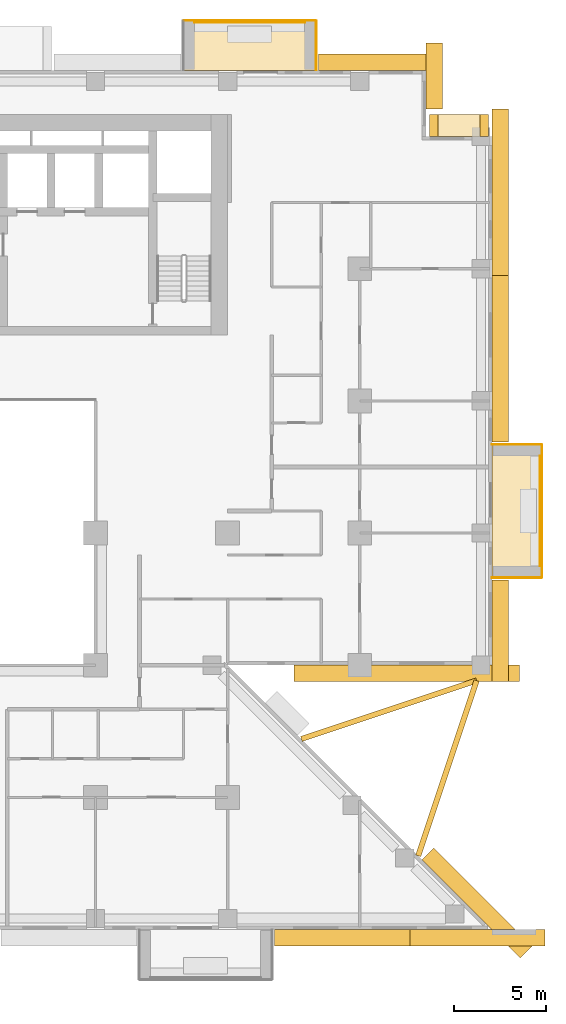
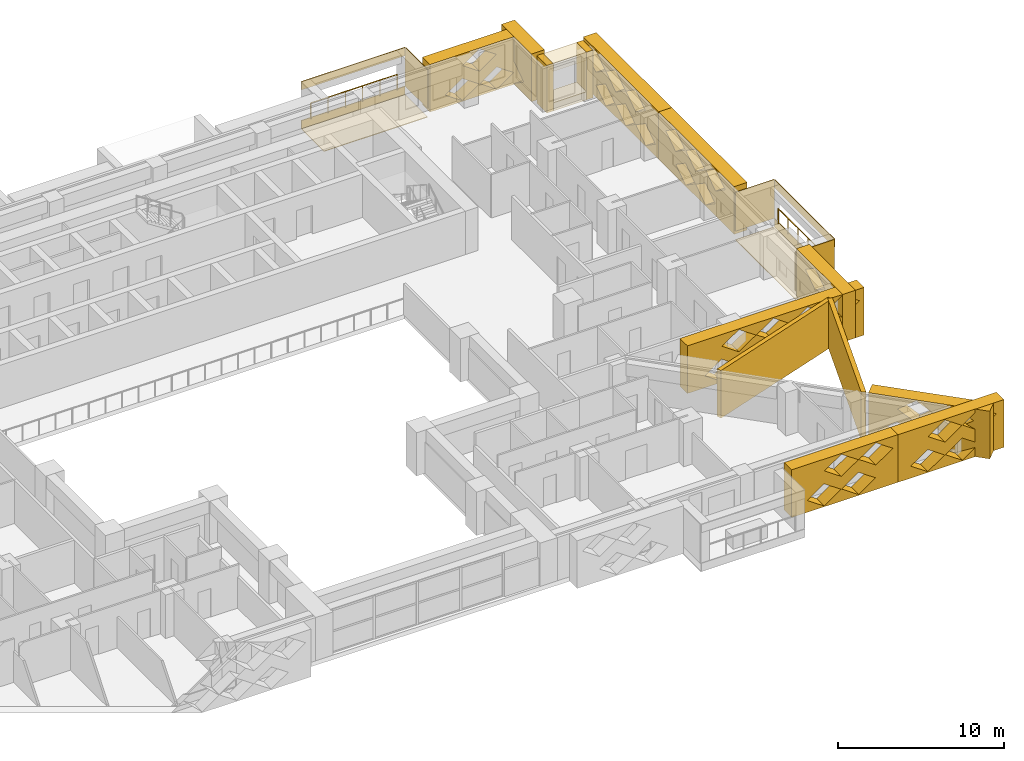
# One storey, part 16 of 16: 24 coverings, 2 railings.
"""IFC4 building model written with IfcOpenShell, lengths in metres."""

from ifc_helpers import new_model, si_unit, direction, frame, origin, origin_2d, place, context, subcontext, project, spatial, polyline, circle, outline, extrude, material, layer, layer_set, type_object, element, save


model = new_model("IFC4")

# Units and contexts
model_context = context("Model", 3, precision=1e-05, world=origin(), true_north=direction((0.0, 1.0)))
body_context = subcontext(model_context, "Body", "Model", "MODEL_VIEW")
ifc_project = project(units=[si_unit("LENGTHUNIT", "METRE"), si_unit("AREAUNIT", "SQUARE_METRE"), si_unit("VOLUMEUNIT", "CUBIC_METRE"), si_unit("PLANEANGLEUNIT", "RADIAN"), si_unit("MASSUNIT", "GRAM", prefix="KILO")], contexts=[model_context])

# Site, building, storey
site_placement = place(None, origin())
site = spatial("IfcSite", under=ifc_project, at=site_placement, CompositionType="ELEMENT")
building_placement = place(site_placement, origin())
building = spatial("IfcBuilding", under=site, at=building_placement, Name="Saffron Iwan Residences", CompositionType="ELEMENT")
storey_placement = place(building_placement, frame((0.0, 0.0, 90.0)))
storey = spatial("IfcBuildingStorey", under=building, at=storey_placement, Name="L23", CompositionType="ELEMENT", Elevation=90.0)

# Railings
ifc_material_1 = material(Name="Stainless steel 316", Category="steel")
railing_type = type_object("IfcRailingType", Name="BALCONY GUARD 1150", PredefinedType="GUARDRAIL", material=ifc_material_1)
railing_1_placement = place(storey_placement, frame((89.02490234375, 53.39990234375, 0.0)))
element("IfcRailing", 1, at=railing_1_placement, inside=storey, type_object=railing_type, Name="Balcony guard L23 F2-0", PredefinedType="GUARDRAIL", context=body_context, shape_type="SweptSolid", body=[
    extrude(circle(Radius=0.02392578125, at=origin_2d()), frame((0.0, 0.0, 1.1259765625), z_axis=(0.0, 1.0, 0.0), x_axis=(-1.0, 0.0, 0.0)), (0.0, 0.0, 1.0), 6.0),
    extrude(circle(Radius=0.02099609375, at=origin_2d()), origin(), (0.0, 0.0, 1.0), 1.101806640625),
    extrude(circle(Radius=0.02099609375, at=origin_2d()), frame((0.0, 1.199951171875, 0.0)), (0.0, 0.0, 1.0), 1.101806640625),
    extrude(circle(Radius=0.02099609375, at=origin_2d()), frame((0.0, 2.39990234375, 0.0)), (0.0, 0.0, 1.0), 1.101806640625),
    extrude(circle(Radius=0.02099609375, at=origin_2d()), frame((0.0, 3.60009765625, 0.0)), (0.0, 0.0, 1.0), 1.101806640625),
    extrude(circle(Radius=0.02099609375, at=origin_2d()), frame((0.0, 4.800048828125, 0.0)), (0.0, 0.0, 1.0), 1.101806640625),
    extrude(circle(Radius=0.02099609375, at=origin_2d()), frame((0.0, 6.0, 0.0)), (0.0, 0.0, 1.0), 1.101806640625),
])
railing_2_placement = place(storey_placement, frame((76.199951171875, 83.02490234375, 0.0)))
element("IfcRailing", 2, at=railing_2_placement, inside=storey, type_object=railing_type, Name="Balcony guard L23 F5-0", PredefinedType="GUARDRAIL", context=body_context, shape_type="SweptSolid", body=[
    extrude(circle(Radius=0.02392578125, at=origin_2d()), frame((0.0, 0.0, 1.1259765625), z_axis=(-1.0, 0.0, 0.0), x_axis=(0.0, -1.0, 0.0)), (0.0, 0.0, 1.0), 6.0),
    extrude(circle(Radius=0.02099609375, at=origin_2d()), origin(), (0.0, 0.0, 1.0), 1.101806640625),
    extrude(circle(Radius=0.02099609375, at=origin_2d()), frame((-1.199951171875, 0.0, 0.0)), (0.0, 0.0, 1.0), 1.101806640625),
    extrude(circle(Radius=0.02099609375, at=origin_2d()), frame((-2.39990234375, 0.0, 0.0)), (0.0, 0.0, 1.0), 1.101806640625),
    extrude(circle(Radius=0.02099609375, at=origin_2d()), frame((-3.60009765625, 0.0, 0.0)), (0.0, 0.0, 1.0), 1.101806640625),
    extrude(circle(Radius=0.02099609375, at=origin_2d()), frame((-4.800048828125, 0.0, 0.0)), (0.0, 0.0, 1.0), 1.101806640625),
    extrude(circle(Radius=0.02099609375, at=origin_2d()), frame((-6.0, 0.0, 0.0)), (0.0, 0.0, 1.0), 1.101806640625),
])

# Coverings
ifc_material_2 = material(Name="Precast concrete C40/50 white painted", Category="concrete")
ifc_layer_1 = layer(ifc_material_2, 0.050048828125)
ifc_layer_set_1 = layer_set([ifc_layer_1], Name="Precast concrete C40/50 white painted")
covering_type_1 = type_object("IfcCoveringType", Name="FRAME SKIN PRECAST WHITE 50", PredefinedType="CLADDING", material=ifc_layer_set_1)
for number, where, name in (
    (3, (0.0, 0.0, -0.60009765625), "Frame skin slab edge L23 F2-0"),
    (4, (0.0, 0.0, 2.25), "Frame skin fascia L23 F2-0"),
):
    element("IfcCovering", number, at=place(storey_placement, frame(where)), inside=storey, type_object=covering_type_1, Name=name, PredefinedType="CLADDING", context=body_context, shape_type="SweptSolid", body=[
        extrude(outline(polyline([(89.14990234375, 52.800048828125), (89.14990234375, 60.0), (89.10009765625, 60.0), (89.10009765625, 52.800048828125), (89.14990234375, 52.800048828125)])), origin(), (0.0, 0.0, 1.0), 0.60009765625),
    ])
covering_1_placement = place(storey_placement, frame((0.0, 0.0, -0.64990234375)))
element("IfcCovering", 5, at=covering_1_placement, inside=storey, type_object=covering_type_1, Name="Frame skin soffit L23 F2-0", PredefinedType="CLADDING", context=body_context, shape_type="SweptSolid", body=[
    extrude(outline(polyline([(89.10009765625, 52.800048828125), (89.10009765625, 60.0), (86.39990234375, 60.0), (86.39990234375, 52.800048828125), (89.10009765625, 52.800048828125)])), origin(), (0.0, 0.0, 1.0), 0.0498046875),
])
covering_2_placement = place(storey_placement, origin())
element("IfcCovering", 6, at=covering_2_placement, inside=storey, type_object=covering_type_1, Name="Frame skin fin L23 F2-0a", PredefinedType="CLADDING", context=body_context, shape_type="SweptSolid", body=[
    extrude(outline(polyline([(89.10009765625, 52.75), (89.10009765625, 52.800048828125), (86.39990234375, 52.800048828125), (86.39990234375, 52.75), (89.10009765625, 52.75)])), origin(), (0.0, 0.0, 1.0), 2.85009765625),
])
covering_3_placement = place(storey_placement, origin())
element("IfcCovering", 7, at=covering_3_placement, inside=storey, type_object=covering_type_1, Name="Frame skin fin L23 F2-0b", PredefinedType="CLADDING", context=body_context, shape_type="SweptSolid", body=[
    extrude(outline(polyline([(89.10009765625, 60.0), (89.10009765625, 60.050048828125), (86.39990234375, 60.050048828125), (86.39990234375, 60.0), (89.10009765625, 60.0)])), origin(), (0.0, 0.0, 1.0), 2.85009765625),
])
for number, where, name in (
    (8, (0.0, 0.0, -0.60009765625), "Frame skin slab edge L23 F5-0"),
    (9, (0.0, 0.0, 2.25), "Frame skin fascia L23 F5-0"),
):
    element("IfcCovering", number, at=place(storey_placement, frame(where)), inside=storey, type_object=covering_type_1, Name=name, PredefinedType="CLADDING", context=body_context, shape_type="SweptSolid", body=[
        extrude(outline(polyline([(76.800048828125, 83.14990234375), (69.60009765625, 83.14990234375), (69.60009765625, 83.10009765625), (76.800048828125, 83.10009765625), (76.800048828125, 83.14990234375)])), origin(), (0.0, 0.0, 1.0), 0.60009765625),
    ])
covering_4_placement = place(storey_placement, frame((0.0, 0.0, -0.64990234375)))
element("IfcCovering", 10, at=covering_4_placement, inside=storey, type_object=covering_type_1, Name="Frame skin soffit L23 F5-0", PredefinedType="CLADDING", context=body_context, shape_type="SweptSolid", body=[
    extrude(outline(polyline([(76.800048828125, 83.10009765625), (69.60009765625, 83.10009765625), (69.60009765625, 80.39990234375), (76.800048828125, 80.39990234375), (76.800048828125, 83.10009765625)])), origin(), (0.0, 0.0, 1.0), 0.0498046875),
])
covering_5_placement = place(storey_placement, origin())
element("IfcCovering", 11, at=covering_5_placement, inside=storey, type_object=covering_type_1, Name="Frame skin fin L23 F5-0a", PredefinedType="CLADDING", context=body_context, shape_type="SweptSolid", body=[
    extrude(outline(polyline([(76.85009765625, 83.10009765625), (76.800048828125, 83.10009765625), (76.800048828125, 80.39990234375), (76.85009765625, 80.39990234375), (76.85009765625, 83.10009765625)])), origin(), (0.0, 0.0, 1.0), 2.85009765625),
])
ifc_material_3 = material(Name="Precast concrete C40/50", Category="concrete")
covering_type_2 = type_object("IfcCoveringType", Name="OUTER SKIN LATTICE SCREEN", PredefinedType="CLADDING", material=ifc_material_3)
covering_6_placement = place(storey_placement, frame((87.939453125, 32.060546875, -0.320068359375), z_axis=(0.706971125213, 0.70724241114, 0.0), x_axis=(-0.70724241114, 0.706971125213, 0.0)))
element("IfcCovering", 12, at=covering_6_placement, inside=storey, type_object=covering_type_2, Name="OUTER SKIN lattice screen L23 F0.0", PredefinedType="CLADDING", context=body_context, shape_type="SweptSolid", body=[
    extrude(outline(polyline([(0.0, 0.0), (7.559326171875, 0.0), (7.559326171875, 3.5), (0.0, 3.5), (0.0, 0.0)]), holes=[polyline([(2.197021484375, 0.875), (3.377197265625, 0.06005859375), (4.55712890625, 0.875), (3.377197265625, 1.68994140625), (2.197021484375, 0.875)]), polyline([(4.59716796875, 0.875), (5.777099609375, 0.06005859375), (6.95703125, 0.875), (5.777099609375, 1.68994140625), (4.59716796875, 0.875)]), polyline([(0.9970703125, 2.625), (2.177001953125, 1.81005859375), (3.357177734375, 2.625), (2.177001953125, 3.43994140625), (0.9970703125, 2.625)]), polyline([(3.397216796875, 2.625), (4.5771484375, 1.81005859375), (5.757080078125, 2.625), (4.5771484375, 3.43994140625), (3.397216796875, 2.625)])]), origin(), (0.0, 0.0, 1.0), 0.89990234375),
])
covering_7_placement = place(storey_placement, frame((75.6171875, 48.0, -0.320068359375), z_axis=(0.0, -1.0, 0.0), x_axis=(1.0, 0.0, 0.0)))
element("IfcCovering", 13, at=covering_7_placement, inside=storey, type_object=covering_type_2, Name="OUTER SKIN lattice screen L23 F1.0", PredefinedType="CLADDING", context=body_context, shape_type="SweptSolid", body=[
    extrude(outline(polyline([(0.0, 0.0), (12.282958984375, 0.0), (12.282958984375, 3.5), (0.0, 3.5), (0.0, 0.0)]), holes=[polyline([(1.202880859375, 0.875), (2.3828125, 0.06005859375), (3.56298828125, 0.875), (2.3828125, 1.68994140625), (1.202880859375, 0.875)]), polyline([(3.602783203125, 0.875), (4.782958984375, 0.06005859375), (5.962890625, 0.875), (4.782958984375, 1.68994140625), (3.602783203125, 0.875)]), polyline([(6.0029296875, 0.875), (7.182861328125, 0.06005859375), (8.36279296875, 0.875), (7.182861328125, 1.68994140625), (6.0029296875, 0.875)]), polyline([(8.40283203125, 0.875), (9.5830078125, 0.06005859375), (10.762939453125, 0.875), (9.5830078125, 1.68994140625), (8.40283203125, 0.875)]), polyline([(2.40283203125, 2.625), (3.5830078125, 1.81005859375), (4.762939453125, 2.625), (3.5830078125, 3.43994140625), (2.40283203125, 2.625)]), polyline([(4.802978515625, 2.625), (5.98291015625, 1.81005859375), (7.162841796875, 2.625), (5.98291015625, 3.43994140625), (4.802978515625, 2.625)]), polyline([(7.202880859375, 2.625), (8.3828125, 1.81005859375), (9.56298828125, 2.625), (8.3828125, 3.43994140625), (7.202880859375, 2.625)]), polyline([(9.602783203125, 2.625), (10.782958984375, 1.81005859375), (11.962890625, 2.625), (10.782958984375, 3.43994140625), (9.602783203125, 2.625)])]), origin(), (0.0, 0.0, 1.0), 0.89990234375),
])
covering_8_placement = place(storey_placement, frame((86.39990234375, 47.10009765625, -0.320068359375), z_axis=(1.0, 0.0, 0.0), x_axis=(0.0, 1.0, 0.0)))
element("IfcCovering", 14, at=covering_8_placement, inside=storey, type_object=covering_type_2, Name="OUTER SKIN lattice screen L23 F2.0", PredefinedType="CLADDING", context=body_context, shape_type="SweptSolid", body=[
    extrude(outline(polyline([(0.0, 0.0), (5.550048828125, 0.0), (5.550048828125, 3.5), (0.0, 3.5), (0.0, 0.0)]), holes=[polyline([(0.919921875, 0.875), (2.10009765625, 0.06005859375), (3.280029296875, 0.875), (2.10009765625, 1.68994140625), (0.919921875, 0.875)]), polyline([(2.1201171875, 2.625), (3.300048828125, 1.81005859375), (4.47998046875, 2.625), (3.300048828125, 3.43994140625), (2.1201171875, 2.625)])]), origin(), (0.0, 0.0, 1.0), 0.900146484375),
])
covering_9_placement = place(storey_placement, frame((86.39990234375, 60.14990234375, -0.320068359375), z_axis=(1.0, 0.0, 0.0), x_axis=(0.0, 1.0, 0.0)))
element("IfcCovering", 15, at=covering_9_placement, inside=storey, type_object=covering_type_2, Name="OUTER SKIN lattice screen L23 F2.1", PredefinedType="CLADDING", context=body_context, shape_type="SweptSolid", body=[
    extrude(outline(polyline([(0.0, 0.0), (9.074951171875, 0.0), (9.074951171875, 3.5), (0.0, 3.5), (0.0, 0.0)]), holes=[polyline([(2.27001953125, 0.875), (3.449951171875, 0.06005859375), (4.6298828125, 0.875), (3.449951171875, 1.68994140625), (2.27001953125, 0.875)]), polyline([(4.669921875, 0.875), (5.85009765625, 0.06005859375), (7.030029296875, 0.875), (5.85009765625, 1.68994140625), (4.669921875, 0.875)]), polyline([(1.070068359375, 2.625), (2.25, 1.81005859375), (3.429931640625, 2.625), (2.25, 3.43994140625), (1.070068359375, 2.625)]), polyline([(3.469970703125, 2.625), (4.64990234375, 1.81005859375), (5.830078125, 2.625), (4.64990234375, 3.43994140625), (3.469970703125, 2.625)]), polyline([(5.8701171875, 2.625), (7.050048828125, 1.81005859375), (8.22998046875, 2.625), (7.050048828125, 3.43994140625), (5.8701171875, 2.625)])]), origin(), (0.0, 0.0, 1.0), 0.900146484375),
])
covering_10_placement = place(storey_placement, frame((86.39990234375, 69.22509765625, -0.320068359375), z_axis=(1.0, 0.0, 0.0), x_axis=(0.0, 1.0, 0.0)))
element("IfcCovering", 16, at=covering_10_placement, inside=storey, type_object=covering_type_2, Name="OUTER SKIN lattice screen L23 F2.2", PredefinedType="CLADDING", context=body_context, shape_type="SweptSolid", body=[
    extrude(outline(polyline([(0.0, 0.0), (9.074951171875, 0.0), (9.074951171875, 3.5), (0.0, 3.5), (0.0, 0.0)]), holes=[polyline([(0.39501953125, 0.875), (1.574951171875, 0.06005859375), (2.7548828125, 0.875), (1.574951171875, 1.68994140625), (0.39501953125, 0.875)]), polyline([(2.794921875, 0.875), (3.97509765625, 0.06005859375), (5.155029296875, 0.875), (3.97509765625, 1.68994140625), (2.794921875, 0.875)]), polyline([(5.195068359375, 0.875), (6.375, 0.06005859375), (7.554931640625, 0.875), (6.375, 1.68994140625), (5.195068359375, 0.875)]), polyline([(1.594970703125, 2.625), (2.77490234375, 1.81005859375), (3.955078125, 2.625), (2.77490234375, 3.43994140625), (1.594970703125, 2.625)]), polyline([(3.9951171875, 2.625), (5.175048828125, 1.81005859375), (6.35498046875, 2.625), (5.175048828125, 3.43994140625), (3.9951171875, 2.625)]), polyline([(6.39501953125, 2.625), (7.574951171875, 1.81005859375), (8.7548828125, 2.625), (7.574951171875, 3.43994140625), (6.39501953125, 2.625)])]), origin(), (0.0, 0.0, 1.0), 0.900146484375),
])
covering_11_placement = place(storey_placement, frame((82.800048828125, 78.300048828125, -0.320068359375), z_axis=(1.0, 0.0, 0.0), x_axis=(0.0, 1.0, 0.0)))
element("IfcCovering", 17, at=covering_11_placement, inside=storey, type_object=covering_type_2, Name="OUTER SKIN lattice screen L23 F4.0", PredefinedType="CLADDING", context=body_context, shape_type="SweptSolid", body=[
    extrude(outline(polyline([(0.0, 0.0), (3.60009765625, 0.0), (3.60009765625, 3.5), (0.0, 3.5), (0.0, 0.0)]), holes=[polyline([(0.919921875, 0.875), (2.10009765625, 0.06005859375), (3.280029296875, 0.875), (2.10009765625, 1.68994140625), (0.919921875, 0.875)])]), origin(), (0.0, 0.0, 1.0), 0.89990234375),
])
covering_12_placement = place(storey_placement, frame((83.699951171875, 80.39990234375, -0.320068359375), z_axis=(0.0, 1.0, 0.0), x_axis=(-1.0, 0.0, 0.0)))
element("IfcCovering", 18, at=covering_12_placement, inside=storey, type_object=covering_type_2, Name="OUTER SKIN lattice screen L23 F5.0", PredefinedType="CLADDING", context=body_context, shape_type="SweptSolid", body=[
    extrude(outline(polyline([(0.0, 0.0), (6.75, 0.0), (6.75, 3.5), (0.0, 3.5), (0.0, 0.0)]), holes=[polyline([(0.919921875, 0.875), (2.10009765625, 0.06005859375), (3.280029296875, 0.875), (2.10009765625, 1.68994140625), (0.919921875, 0.875)]), polyline([(3.320068359375, 0.875), (4.5, 0.06005859375), (5.679931640625, 0.875), (4.5, 1.68994140625), (3.320068359375, 0.875)]), polyline([(2.1201171875, 2.625), (3.300048828125, 1.81005859375), (4.47998046875, 2.625), (3.300048828125, 3.43994140625), (2.1201171875, 2.625)])]), origin(), (0.0, 0.0, 1.0), 0.900146484375),
])
covering_13_placement = place(storey_placement, frame((74.550048828125, 33.60009765625, -0.320068359375), z_axis=(0.0, -1.0, 0.0), x_axis=(1.0, 0.0, 0.0)))
element("IfcCovering", 19, at=covering_13_placement, inside=storey, type_object=covering_type_2, Name="OUTER SKIN lattice screen L23 F11.3", PredefinedType="CLADDING", context=body_context, shape_type="SweptSolid", body=[
    extrude(outline(polyline([(0.0, 0.0), (7.37353515625, 0.0), (7.37353515625, 3.5), (0.0, 3.5), (0.0, 0.0)]), holes=[polyline([(1.070068359375, 0.875), (2.25, 0.06005859375), (3.429931640625, 0.875), (2.25, 1.68994140625), (1.070068359375, 0.875)]), polyline([(3.469970703125, 0.875), (4.64990234375, 0.06005859375), (5.830078125, 0.875), (4.64990234375, 1.68994140625), (3.469970703125, 0.875)]), polyline([(2.27001953125, 2.625), (3.449951171875, 1.81005859375), (4.6298828125, 2.625), (3.449951171875, 3.43994140625), (2.27001953125, 2.625)]), polyline([(4.669921875, 2.625), (5.85009765625, 1.81005859375), (7.030029296875, 2.625), (5.85009765625, 3.43994140625), (4.669921875, 2.625)])]), origin(), (0.0, 0.0, 1.0), 0.900146484375),
])
covering_14_placement = place(storey_placement, frame((81.923583984375, 33.60009765625, -0.320068359375), z_axis=(0.0, -1.0, 0.0), x_axis=(1.0, 0.0, 0.0)))
element("IfcCovering", 20, at=covering_14_placement, inside=storey, type_object=covering_type_2, Name="OUTER SKIN lattice screen L23 F11.4", PredefinedType="CLADDING", context=body_context, shape_type="SweptSolid", body=[
    extrude(outline(polyline([(0.0, 0.0), (7.37353515625, 0.0), (7.37353515625, 3.5), (0.0, 3.5), (0.0, 0.0)]), holes=[polyline([(0.896484375, 0.875), (2.076416015625, 0.06005859375), (3.256591796875, 0.875), (2.076416015625, 1.68994140625), (0.896484375, 0.875)]), polyline([(3.29638671875, 0.875), (4.4765625, 0.06005859375), (5.656494140625, 0.875), (4.4765625, 1.68994140625), (3.29638671875, 0.875)]), polyline([(2.096435546875, 2.625), (3.276611328125, 1.81005859375), (4.45654296875, 2.625), (3.276611328125, 3.43994140625), (2.096435546875, 2.625)]), polyline([(4.49658203125, 2.625), (5.676513671875, 1.81005859375), (6.8564453125, 2.625), (5.676513671875, 3.43994140625), (4.49658203125, 2.625)])]), origin(), (0.0, 0.0, 1.0), 0.900146484375),
])
ifc_layer_2 = layer(ifc_material_2, 0.300048828125)
ifc_layer_set_2 = layer_set([ifc_layer_2], Name="Precast concrete C40/50 white painted")
covering_type_3 = type_object("IfcCoveringType", Name="PROW NOSE BLADE PRECAST WHITE", PredefinedType="CLADDING", material=ifc_layer_set_2)
covering_15_placement = place(storey_placement, frame((0.0, 0.0, -0.320068359375)))
element("IfcCovering", 21, at=covering_15_placement, inside=storey, type_object=covering_type_3, Name="Prow nose blade L23 a", PredefinedType="CLADDING", context=body_context, shape_type="SweptSolid", body=[
    extrude(outline(polyline([(82.5244140625, 37.570556640625), (85.706298828125, 47.116455078125), (85.421630859375, 47.21142578125), (82.23974609375, 37.66552734375), (82.5244140625, 37.570556640625)])), origin(), (0.0, 0.0, 1.0), 3.5),
])
covering_16_placement = place(storey_placement, frame((0.0, 0.0, -0.320068359375)))
element("IfcCovering", 22, at=covering_16_placement, inside=storey, type_object=covering_type_3, Name="Prow nose blade L23 b", PredefinedType="CLADDING", context=body_context, shape_type="SweptSolid", body=[
    extrude(outline(polyline([(76.0654296875, 43.839599609375), (85.611328125, 47.021728515625), (85.5166015625, 47.306396484375), (75.970703125, 44.124267578125), (76.0654296875, 43.839599609375)])), origin(), (0.0, 0.0, 1.0), 3.5),
])
covering_type_4 = type_object("IfcCoveringType", Name="WHITE SUN FRAME PRECAST", PredefinedType="CLADDING", material=ifc_material_2)
for number, where, z_axis, x_axis, name in (
    (23, (86.199951171875, 76.800048828125, -0.320068359375), (0.0, 1.0, 0.0), (-1.0, 0.0, 0.0), "Sun frame L23 F3 0.2a"),
    (24, (83.449951171875, 76.800048828125, -0.320068359375), (0.0, 1.0, 0.0), (-1.0, 0.0, 0.0), "Sun frame L23 F3 0.2b"),
):
    element("IfcCovering", number, at=place(storey_placement, frame(where, z_axis=z_axis, x_axis=x_axis)), inside=storey, type_object=covering_type_4, Name=name, PredefinedType="CLADDING", context=body_context, shape_type="SweptSolid", body=[
        extrude(outline(polyline([(0.0, 0.0), (0.449951171875, 0.0), (0.449951171875, 3.5), (0.0, 3.5), (0.0, 0.0)])), origin(), (0.0, 0.0, 1.0), 1.199951171875),
    ])
for number, where, z_axis, x_axis, name in (
    (25, (85.75, 76.800048828125, 2.580078125), (0.0, 1.0, 0.0), (-1.0, 0.0, 0.0), "Sun frame L23 F3 0.2h"),
    (26, (85.75, 76.800048828125, -0.320068359375), (0.0, 1.0, 0.0), (-1.0, 0.0, 0.0), "Sun frame L23 F3 0.2s"),
):
    element("IfcCovering", number, at=place(storey_placement, frame(where, z_axis=z_axis, x_axis=x_axis)), inside=storey, type_object=covering_type_4, Name=name, PredefinedType="CLADDING", context=body_context, shape_type="SweptSolid", body=[
        extrude(outline(polyline([(0.0, 0.0), (2.300048828125, 0.0), (2.300048828125, 0.60009765625), (0.0, 0.60009765625), (0.0, 0.0)])), origin(), (0.0, 0.0, 1.0), 1.199951171875),
    ])

save(model, "model.ifc")
